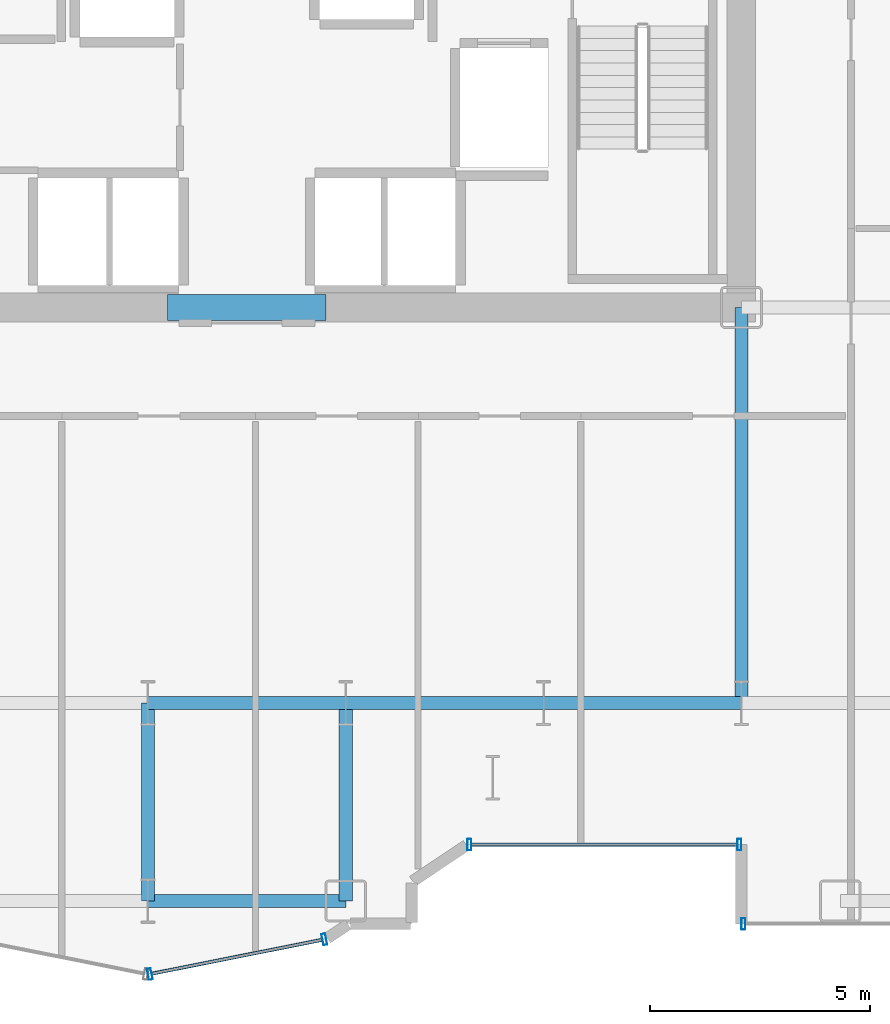
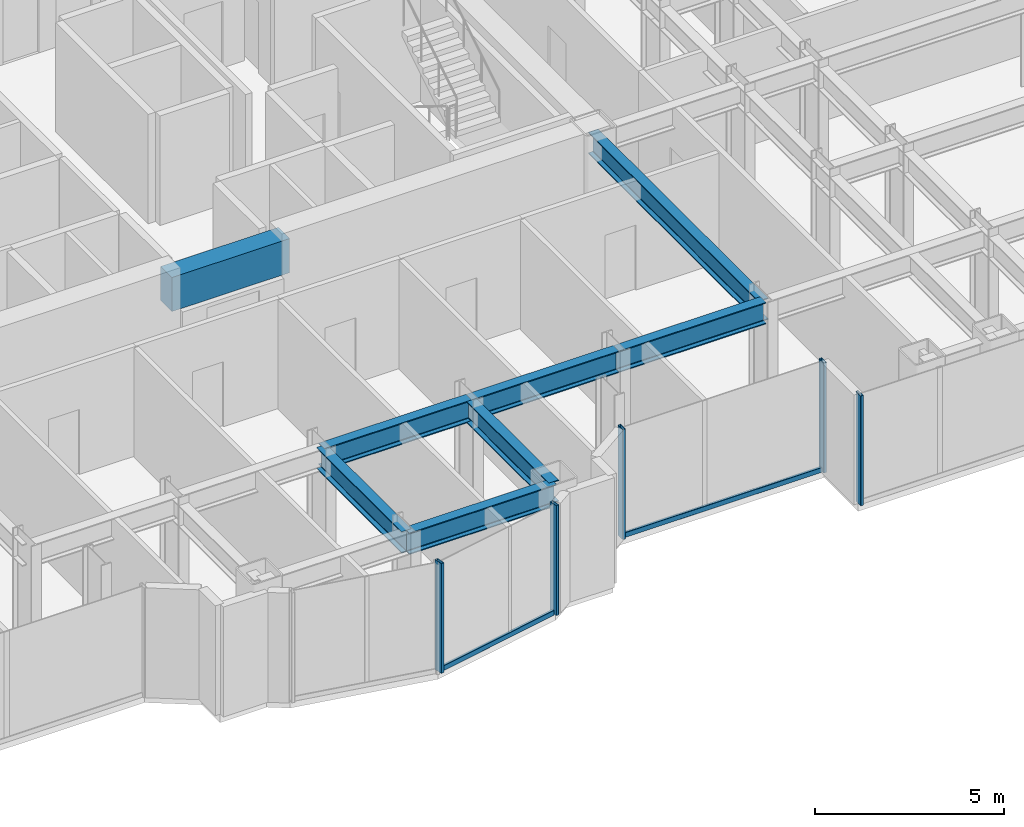
# One storey, part 6 of 25: 8 beams, 7 members, 3 elements without a shape of their own.
"""IFC4 building model written with IfcOpenShell, lengths in metres."""

from ifc_helpers import new_model, si_unit, direction, frame, origin, origin_2d, place, context, subcontext, project, spatial, rectangle, hollow_rectangle, i_section, extrude, source, transform, mapped, material, layer, layer_set, material_profile, profile_set, type_object, element, aggregate, save


model = new_model("IFC4")

# Units and contexts
model_context = context("Model", 3, precision=1e-05, world=origin(), true_north=direction((0.0, 1.0)))
body_context = subcontext(model_context, "Body", "Model", "MODEL_VIEW")
ifc_project = project(units=[si_unit("LENGTHUNIT", "METRE"), si_unit("AREAUNIT", "SQUARE_METRE"), si_unit("VOLUMEUNIT", "CUBIC_METRE"), si_unit("PLANEANGLEUNIT", "RADIAN"), si_unit("MASSUNIT", "GRAM", prefix="KILO")], contexts=[model_context])

# Site, building, storey
site_placement = place(None, origin())
site = spatial("IfcSite", under=ifc_project, at=site_placement, CompositionType="ELEMENT")
building_placement = place(site_placement, origin())
building = spatial("IfcBuilding", under=site, at=building_placement, Name="Nefas-Gora Pilgrimage Tower", CompositionType="ELEMENT")
storey_placement = place(building_placement, frame((0.0, 0.0, 52.0)))
storey = spatial("IfcBuildingStorey", under=building, at=storey_placement, Name="L11", CompositionType="ELEMENT", Elevation=52.0)

# Beams
ifc_material_1 = material(Name="Concrete C60/75", Category="concrete")
ifc_material_profile_1 = material_profile(ifc_material_1, rectangle(XDim=0.60009765625, YDim=1.10009765625, at=origin_2d()), Name="RC 600x1100")
ifc_profile_set_1 = profile_set([ifc_material_profile_1], Name="Concrete C60/75")
beam_type_1 = type_object("IfcBeamType", Name="BM-LIN-RC1100", PredefinedType="LINTEL", material=ifc_profile_set_1)
shared_shape_1 = source(origin(), body_context, "Body", "SweptSolid", [
    extrude(rectangle(XDim=0.60009765625, YDim=1.10009765625, at=origin_2d()), origin(), (0.0, 0.0, 1.0), 3.60009765625),
])
beam_1_placement = place(storey_placement, frame((-1.800048828125, -9.0, 3.0), z_axis=(1.0, 0.0, 0.0), x_axis=(0.0, 1.0, 0.0)))
element("IfcBeam", 1, at=beam_1_placement, inside=storey, type_object=beam_type_1, Name="L11 Core Coupling Lintel Beam S", PredefinedType="LINTEL", context=body_context, shape_type="MappedRepresentation", body=[
    mapped(shared_shape_1, transform((0.0, 0.0, 0.0), x_axis=(1.0, 0.0, 0.0), y_axis=(0.0, 1.0, 0.0), z_axis=(0.0, 0.0, 1.0), scale=1.0)),
])
ifc_material_2 = material(Name="Steel S355", Category="steel")
ifc_material_profile_2 = material_profile(ifc_material_2, i_section(OverallWidth=0.300048828125, OverallDepth=0.699951171875, WebThickness=0.01708984375, FlangeThickness=0.031982421875, FilletRadius=0.027099609375, at=origin_2d()), Name="HEB 700")
ifc_profile_set_2 = profile_set([ifc_material_profile_2], Name="Steel S355")
beam_type_2 = type_object("IfcBeamType", Name="BM-GIR-HEB700", PredefinedType="BEAM", material=ifc_profile_set_2)
shared_shape_2 = source(origin(), body_context, "Body", "SweptSolid", [
    extrude(i_section(OverallWidth=0.300048828125, OverallDepth=0.699951171875, WebThickness=0.01708984375, FlangeThickness=0.031982421875, FilletRadius=0.027099609375, at=origin_2d()), origin(), (0.0, 0.0, 1.0), 9.0),
])
beam_2_placement = place(storey_placement, frame((11.25, -18.0, 3.199951171875), z_axis=(0.0, 1.0, 0.0), x_axis=(-1.0, 0.0, 0.0)))
element("IfcBeam", 2, at=beam_2_placement, inside=storey, type_object=beam_type_2, Name="L11 G-02 beam", PredefinedType="BEAM", context=body_context, shape_type="MappedRepresentation", body=[
    mapped(shared_shape_2, transform((0.0, 0.0, 0.0), x_axis=(1.0, 0.0, 0.0), y_axis=(0.0, 1.0, 0.0), z_axis=(0.0, 0.0, 1.0), scale=1.0)),
])
shared_shape_3 = source(origin(), body_context, "Body", "SweptSolid", [
    extrude(i_section(OverallWidth=0.300048828125, OverallDepth=0.699951171875, WebThickness=0.01708984375, FlangeThickness=0.031982421875, FilletRadius=0.027099609375, at=origin_2d()), origin(), (0.0, 0.0, 1.0), 4.5),
])
for number, where, z_axis, x_axis, name in (
    (3, (-2.25, -22.5, 3.199951171875), (0.0, 1.0, 0.0), (-1.0, 0.0, 0.0), "L11 G-02 beam"),
    (4, (-2.25, -22.5, 3.199951171875), (1.0, 0.0, 0.0), (0.0, 1.0, 0.0), "L11 G-02 beam"),
    (5, (-2.25, -18.0, 3.199951171875), (1.0, 0.0, 0.0), (0.0, 1.0, 0.0), "L11 G-02 beam"),
    (6, (2.25, -22.5, 3.199951171875), (0.0, 1.0, 0.0), (-1.0, 0.0, 0.0), "L11 G-02 beam"),
    (7, (2.25, -18.0, 3.199951171875), (1.0, 0.0, 0.0), (0.0, 1.0, 0.0), "L11 G-02 beam"),
    (8, (6.75, -18.0, 3.199951171875), (1.0, 0.0, 0.0), (0.0, 1.0, 0.0), "L11 G-02 beam"),
):
    element("IfcBeam", number, at=place(storey_placement, frame(where, z_axis=z_axis, x_axis=x_axis)), inside=storey, type_object=beam_type_2, Name=name, PredefinedType="BEAM", context=body_context, shape_type="MappedRepresentation", body=[
        mapped(shared_shape_3, transform((0.0, 0.0, 0.0), x_axis=(1.0, 0.0, 0.0), y_axis=(0.0, 1.0, 0.0), z_axis=(0.0, 0.0, 1.0), scale=1.0)),
    ])

# Curtain wall, members
ifc_material_3 = material(Name="Dark ceramic-fritted solar-control aluminium-glass curtain wall", Category="aluminium")
ifc_layer_1 = layer(ifc_material_3, 0.219970703125)
ifc_layer_set_1 = layer_set([ifc_layer_1], Name="Dark ceramic-fritted solar-control aluminium-glass curtain wall")
curtain_wall_type_1 = type_object("IfcCurtainWallType", Name="CW-SYS-5", PredefinedType="NOTDEFINED", material=ifc_layer_set_1)
curtain_wall_1_placement = place(storey_placement, origin())
curtain_wall_1 = element("IfcCurtainWall", 9, at=curtain_wall_1_placement, inside=storey, type_object=curtain_wall_type_1, Name="L11 Unitised Curtain Wall CW5", PredefinedType="NOTDEFINED")
ifc_material_4 = material(Name="Anodised architectural aluminium", Category="aluminium")
ifc_material_profile_3 = material_profile(ifc_material_4, hollow_rectangle(XDim=0.090087890625, YDim=0.260009765625, WallThickness=0.006103515625, InnerFilletRadius=0.006103515625, OuterFilletRadius=0.011962890625, at=origin_2d()), Name="ALU MULLION 90x260")
ifc_profile_set_3 = profile_set([ifc_material_profile_3], Name="Anodised architectural aluminium")
member_type_1 = type_object("IfcMemberType", Name="CWM-MUL-5", PredefinedType="MULLION", material=ifc_profile_set_3)
shared_shape_4 = source(origin(), body_context, "Body", "SweptSolid", [
    extrude(hollow_rectangle(XDim=0.090087890625, YDim=0.260009765625, WallThickness=0.006103515625, InnerFilletRadius=0.006103515625, OuterFilletRadius=0.011962890625, at=origin_2d()), origin(), (0.0, 0.0, 1.0), 3.550048828125),
])
member_1_placement = place(storey_placement, frame((5.06298828125, -21.219970703125, 0.0), z_axis=(0.0, 0.0, 1.0), x_axis=(1.0, 0.0, 0.0)))
member_1 = element("IfcMember", 10, at=member_1_placement, type_object=member_type_1, Name="CW5 Mullion 1", PredefinedType="MULLION", context=body_context, shape_type="MappedRepresentation", body=[
    mapped(shared_shape_4, transform((0.0, 0.0, 0.0), x_axis=(1.0, 0.0, 0.0), y_axis=(0.0, 1.0, 0.0), z_axis=(0.0, 0.0, 1.0), scale=1.0)),
])
member_2_placement = place(storey_placement, frame((11.205078125, -21.219970703125, 0.0), z_axis=(0.0, 0.0, 1.0), x_axis=(1.0, 0.0, 0.0)))
member_2 = element("IfcMember", 11, at=member_2_placement, type_object=member_type_1, Name="CW5 Mullion 2", PredefinedType="MULLION", context=body_context, shape_type="MappedRepresentation", body=[
    mapped(shared_shape_4, transform((0.0, 0.0, 0.0), x_axis=(1.0, 0.0, 0.0), y_axis=(0.0, 1.0, 0.0), z_axis=(0.0, 0.0, 1.0), scale=1.0)),
])

curtain_wall_2_placement = place(storey_placement, origin())
curtain_wall_2 = element("IfcCurtainWall", 12, at=curtain_wall_2_placement, inside=storey, type_object=curtain_wall_type_1, Name="L11 Unitised Curtain Wall CW5", PredefinedType="NOTDEFINED")
member_3_placement = place(storey_placement, frame((-2.205810546875, -24.16357421875, 0.0), z_axis=(0.0, 0.0, 1.0), x_axis=(0.980782896852, 0.195102304554, 0.0)))
member_3 = element("IfcMember", 13, at=member_3_placement, type_object=member_type_1, Name="CW5 Mullion 1", PredefinedType="MULLION", context=body_context, shape_type="MappedRepresentation", body=[
    mapped(shared_shape_4, transform((0.0, 0.0, 0.0), x_axis=(1.0, 0.0, 0.0), y_axis=(0.0, 1.0, 0.0), z_axis=(0.0, 0.0, 1.0), scale=1.0)),
])
member_4_placement = place(storey_placement, frame((1.76318359375, -23.3740234375, 0.0), z_axis=(0.0, 0.0, 1.0), x_axis=(0.980782896852, 0.195102304554, 0.0)))
member_4 = element("IfcMember", 14, at=member_4_placement, type_object=member_type_1, Name="CW5 Mullion 2", PredefinedType="MULLION", context=body_context, shape_type="MappedRepresentation", body=[
    mapped(shared_shape_4, transform((0.0, 0.0, 0.0), x_axis=(1.0, 0.0, 0.0), y_axis=(0.0, 1.0, 0.0), z_axis=(0.0, 0.0, 1.0), scale=1.0)),
])

# Member
ifc_material_profile_4 = material_profile(ifc_material_4, hollow_rectangle(XDim=0.080078125, YDim=0.159912109375, WallThickness=0.00439453125, InnerFilletRadius=0.00439453125, OuterFilletRadius=0.009033203125, at=origin_2d()), Name="ALU TRANSOM 80x160")
ifc_profile_set_4 = profile_set([ifc_material_profile_4], Name="Anodised architectural aluminium")
member_type_2 = type_object("IfcMemberType", Name="CWM-TRN-5", PredefinedType="USERDEFINED", material=ifc_profile_set_4)
shared_shape_5 = source(origin(), body_context, "Body", "SweptSolid", [
    extrude(hollow_rectangle(XDim=0.080078125, YDim=0.159912109375, WallThickness=0.00439453125, InnerFilletRadius=0.00439453125, OuterFilletRadius=0.009033203125, at=origin_2d()), origin(), (0.0, 0.0, 1.0), 6.052001953125),
])
member_5_placement = place(storey_placement, frame((5.10791015625, -21.219970703125, 0.050048828125), z_axis=(1.0, 0.0, 0.0), x_axis=(0.0, 1.0, 0.0)))
member_5 = element("IfcMember", 15, at=member_5_placement, type_object=member_type_2, Name="CW5 Spandrel Transom", ObjectType="TRANSOM", PredefinedType="USERDEFINED", context=body_context, shape_type="MappedRepresentation", body=[
    mapped(shared_shape_5, transform((0.0, 0.0, 0.0), x_axis=(1.0, 0.0, 0.0), y_axis=(0.0, 1.0, 0.0), z_axis=(0.0, 0.0, 1.0), scale=1.0)),
])

aggregate(curtain_wall_1, [member_1, member_2, member_5])

# Curtain wall, member
ifc_layer_2 = layer(ifc_material_3, 0.219970703125)
ifc_layer_set_2 = layer_set([ifc_layer_2], Name="Dark ceramic-fritted solar-control aluminium-glass curtain wall")
curtain_wall_type_2 = type_object("IfcCurtainWallType", Name="CW-SYS-2", PredefinedType="NOTDEFINED", material=ifc_layer_set_2)
curtain_wall_3_placement = place(storey_placement, origin())
curtain_wall_3 = element("IfcCurtainWall", 16, at=curtain_wall_3_placement, inside=storey, type_object=curtain_wall_type_2, Name="L11 Unitised Curtain Wall CW2", PredefinedType="NOTDEFINED")
ifc_material_profile_5 = material_profile(ifc_material_4, hollow_rectangle(XDim=0.090087890625, YDim=0.260009765625, WallThickness=0.006103515625, InnerFilletRadius=0.006103515625, OuterFilletRadius=0.011962890625, at=origin_2d()), Name="ALU MULLION 90x260")
ifc_profile_set_5 = profile_set([ifc_material_profile_5], Name="Anodised architectural aluminium")
member_type_3 = type_object("IfcMemberType", Name="CWM-MUL-2", PredefinedType="MULLION", material=ifc_profile_set_5)
shared_shape_6 = source(origin(), body_context, "Body", "SweptSolid", [
    extrude(hollow_rectangle(XDim=0.090087890625, YDim=0.260009765625, WallThickness=0.006103515625, InnerFilletRadius=0.006103515625, OuterFilletRadius=0.011962890625, at=origin_2d()), origin(), (0.0, 0.0, 1.0), 3.550048828125),
])
member_6_placement = place(storey_placement, frame((11.294921875, -23.02001953125, 0.0), z_axis=(0.0, 0.0, 1.0), x_axis=(1.0, 0.0, 0.0)))
member_6 = element("IfcMember", 17, at=member_6_placement, type_object=member_type_3, Name="CW2 Mullion 1", PredefinedType="MULLION", context=body_context, shape_type="MappedRepresentation", body=[
    mapped(shared_shape_6, transform((0.0, 0.0, 0.0), x_axis=(1.0, 0.0, 0.0), y_axis=(0.0, 1.0, 0.0), z_axis=(0.0, 0.0, 1.0), scale=1.0)),
])
aggregate(curtain_wall_3, [member_6])

# Member
shared_shape_7 = source(origin(), body_context, "Body", "SweptSolid", [
    extrude(hollow_rectangle(XDim=0.080078125, YDim=0.159912109375, WallThickness=0.00439453125, InnerFilletRadius=0.00439453125, OuterFilletRadius=0.009033203125, at=origin_2d()), origin(), (0.0, 0.0, 1.0), 3.95654296875),
])
member_7_placement = place(storey_placement, frame((-2.16162109375, -24.15478515625, 0.050048828125), z_axis=(0.980781880918, 0.195107411605, 0.0), x_axis=(-0.195107411605, 0.980781880918, 0.0)))
member_7 = element("IfcMember", 18, at=member_7_placement, type_object=member_type_2, Name="CW5 Spandrel Transom", ObjectType="TRANSOM", PredefinedType="USERDEFINED", context=body_context, shape_type="MappedRepresentation", body=[
    mapped(shared_shape_7, transform((0.0, 0.0, 0.0), x_axis=(1.0, 0.0, 0.0), y_axis=(0.0, 1.0, 0.0), z_axis=(0.0, 0.0, 1.0), scale=1.0)),
])

aggregate(curtain_wall_2, [member_3, member_4, member_7])

save(model, "model.ifc")
